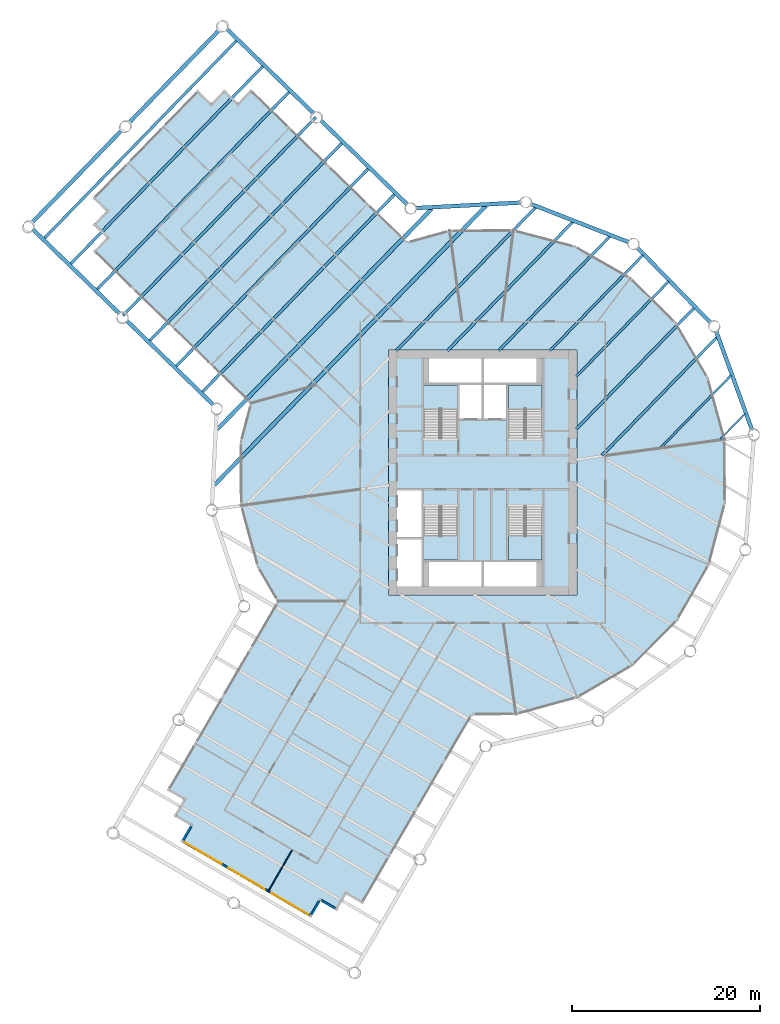
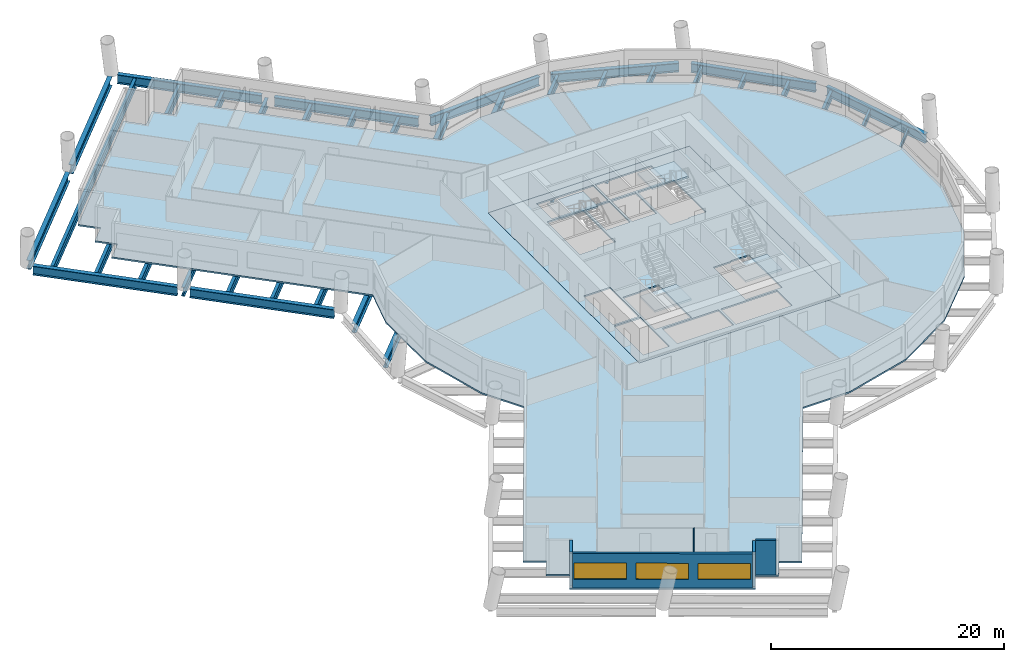
# One storey, part 2 of 12: 28 beams, 6 slabs, 5 walls, 3 windows, 3 openings, 4 elements without a shape of their own.
"""IFC4 building model written with IfcOpenShell, lengths in metres."""

from ifc_helpers import new_model, si_unit, direction, frame, frame_2d, origin, origin_2d, place, context, subcontext, project, spatial, polyline, rectangle, i_section, outline, extrude, material, layer, layer_set, material_profile, profile_set, type_object, element, fill, aggregate, save


model = new_model("IFC4")

# Units and contexts
model_context = context("Model", 3, precision=1e-05, world=origin(), true_north=direction((0.0, 1.0)))
body_context = subcontext(model_context, "Body", "Model", "MODEL_VIEW")
ifc_project = project(units=[si_unit("LENGTHUNIT", "METRE"), si_unit("AREAUNIT", "SQUARE_METRE"), si_unit("VOLUMEUNIT", "CUBIC_METRE"), si_unit("PLANEANGLEUNIT", "RADIAN"), si_unit("MASSUNIT", "GRAM", prefix="KILO")], contexts=[model_context])

# Site, building, storey
site_placement = place(None, origin())
site = spatial("IfcSite", under=ifc_project, at=site_placement, CompositionType="ELEMENT")
building_placement = place(site_placement, origin())
building = spatial("IfcBuilding", under=site, at=building_placement, Name="Tarsis Ring Headquarters", CompositionType="ELEMENT")
storey_placement = place(building_placement, frame((0.0, 0.0, 82.89990234375)))
storey = spatial("IfcBuildingStorey", under=building, at=storey_placement, Name="L18", CompositionType="ELEMENT", Elevation=82.89990234375)

# Beams
ifc_material_1 = material(Name="Structural steel S355", Category="steel")
ifc_material_profile_1 = material_profile(ifc_material_1, i_section(OverallWidth=0.177734375, OverallDepth=0.406494140625, WebThickness=0.0078125, FlangeThickness=0.0126953125, at=origin_2d()), Name="W16x40")
ifc_profile_set_1 = profile_set([ifc_material_profile_1], Name="Structural steel S355")
beam_type_1 = type_object("IfcBeamType", Name="FB Floor beam W16x40", PredefinedType="JOIST", material=ifc_profile_set_1)
beam_1_placement = place(storey_placement, frame((27.818603515625, 6.22998046875, -0.363037109375), z_axis=(-0.697185537768, -0.716890734999, 0.0), x_axis=(0.716890734999, -0.697185537768, 0.0)))
element("IfcBeam", 1, at=beam_1_placement, inside=storey, type_object=beam_type_1, Name="Floor beam FB1", PredefinedType="JOIST", context=body_context, shape_type="SweptSolid", body=[
    extrude(i_section(OverallWidth=0.177734375, OverallDepth=0.406494140625, WebThickness=0.0078125, FlangeThickness=0.0126953125, at=origin_2d()), origin(), (0.0, 0.0, 1.0), 3.74169921875),
])
ifc_material_profile_2 = material_profile(ifc_material_1, i_section(OverallWidth=0.228271484375, OverallDepth=0.607177734375, WebThickness=0.01123046875, FlangeThickness=0.017333984375, at=origin_2d()), Name="W24x76")
ifc_profile_set_2 = profile_set([ifc_material_profile_2], Name="Structural steel S355")
beam_type_2 = type_object("IfcBeamType", Name="FB Floor beam W24x76", PredefinedType="JOIST", material=ifc_profile_set_2)
beam_2_placement = place(storey_placement, frame((26.338623046875, 10.30224609375, -0.46337890625), z_axis=(-0.697176860691, -0.716899173466, 0.0), x_axis=(0.716899173466, -0.697176860691, 0.0)))
element("IfcBeam", 2, at=beam_2_placement, inside=storey, type_object=beam_type_2, Name="Floor beam FB4", PredefinedType="JOIST", context=body_context, shape_type="SweptSolid", body=[
    extrude(i_section(OverallWidth=0.228271484375, OverallDepth=0.607177734375, WebThickness=0.01123046875, FlangeThickness=0.017333984375, at=origin_2d()), origin(), (0.0, 0.0, 1.0), 10.62109375),
])
ifc_material_profile_3 = material_profile(ifc_material_1, i_section(OverallWidth=0.2666015625, OverallDepth=0.7568359375, WebThickness=0.013916015625, FlangeThickness=0.019287109375, at=origin_2d()), Name="W30x108")
ifc_profile_set_3 = profile_set([ifc_material_profile_3], Name="Structural steel S355")
beam_type_3 = type_object("IfcBeamType", Name="FB Floor beam W30x108", PredefinedType="JOIST", material=ifc_profile_set_3)
beam_3_placement = place(storey_placement, frame((19.724853515625, 20.283447265625, -0.538330078125), z_axis=(-0.697167474252, -0.71690830156, 0.0), x_axis=(0.71690830156, -0.697167474252, 0.0)))
element("IfcBeam", 3, at=beam_3_placement, inside=storey, type_object=beam_type_3, Name="Floor beam FB6", PredefinedType="JOIST", context=body_context, shape_type="SweptSolid", body=[
    extrude(i_section(OverallWidth=0.2666015625, OverallDepth=0.7568359375, WebThickness=0.013916015625, FlangeThickness=0.019287109375, at=origin_2d()), origin(), (0.0, 0.0, 1.0), 14.04931640625),
])
beam_4_placement = place(storey_placement, frame((16.99951171875, 23.074951171875, -0.538330078125), z_axis=(-0.697162385678, -0.716913249979, 0.0), x_axis=(0.716913249979, -0.697162385678, 0.0)))
element("IfcBeam", 4, at=beam_4_placement, inside=storey, type_object=beam_type_3, Name="Floor beam FB6", PredefinedType="JOIST", context=body_context, shape_type="SweptSolid", body=[
    extrude(i_section(OverallWidth=0.2666015625, OverallDepth=0.7568359375, WebThickness=0.013916015625, FlangeThickness=0.019287109375, at=origin_2d()), origin(), (0.0, 0.0, 1.0), 14.1533203125),
])
ifc_material_profile_4 = material_profile(ifc_material_1, i_section(OverallWidth=0.2919921875, OverallDepth=0.835693359375, WebThickness=0.013916015625, FlangeThickness=0.018798828125, at=origin_2d()), Name="W33x118")
ifc_profile_set_4 = profile_set([ifc_material_profile_4], Name="Structural steel S355")
beam_type_4 = type_object("IfcBeamType", Name="FB Floor beam W33x118", PredefinedType="JOIST", material=ifc_profile_set_4)
beam_5_placement = place(storey_placement, frame((24.858642578125, 14.37451171875, -0.57763671875), z_axis=(-0.697168033, -0.716907758197, 0.0), x_axis=(0.716907758197, -0.697168033, 0.0)))
element("IfcBeam", 5, at=beam_5_placement, inside=storey, type_object=beam_type_4, Name="Floor beam FB7", PredefinedType="JOIST", context=body_context, shape_type="SweptSolid", body=[
    extrude(i_section(OverallWidth=0.2919921875, OverallDepth=0.835693359375, WebThickness=0.013916015625, FlangeThickness=0.018798828125, at=origin_2d()), origin(), (0.0, 0.0, 1.0), 17.500732421875),
])
beam_6_placement = place(storey_placement, frame((22.4501953125, 17.491943359375, -0.57763671875), z_axis=(-0.697168077868, -0.716907714564, 0.0), x_axis=(0.716907714564, -0.697168077868, 0.0)))
element("IfcBeam", 6, at=beam_6_placement, inside=storey, type_object=beam_type_4, Name="Floor beam FB7", PredefinedType="JOIST", context=body_context, shape_type="SweptSolid", body=[
    extrude(i_section(OverallWidth=0.2919921875, OverallDepth=0.835693359375, WebThickness=0.013916015625, FlangeThickness=0.018798828125, at=origin_2d()), origin(), (0.0, 0.0, 1.0), 17.95849609375),
])
beam_7_placement = place(storey_placement, frame((13.50830078125, 25.0791015625, -0.57763671875), z_axis=(-0.697163546929, -0.716912120719, 0.0), x_axis=(0.716912120719, -0.697163546929, 0.0)))
element("IfcBeam", 7, at=beam_7_placement, inside=storey, type_object=beam_type_4, Name="Floor beam FB7", PredefinedType="JOIST", context=body_context, shape_type="SweptSolid", body=[
    extrude(i_section(OverallWidth=0.2919921875, OverallDepth=0.835693359375, WebThickness=0.013916015625, FlangeThickness=0.018798828125, at=origin_2d()), origin(), (0.0, 0.0, 1.0), 16.948974609375),
])
ifc_material_profile_5 = material_profile(ifc_material_1, i_section(OverallWidth=0.3046875, OverallDepth=0.904296875, WebThickness=0.01513671875, FlangeThickness=0.02001953125, at=origin_2d()), Name="W36x135")
ifc_profile_set_5 = profile_set([ifc_material_profile_5], Name="Structural steel S355")
beam_type_5 = type_object("IfcBeamType", Name="FB Floor beam W36x135", PredefinedType="JOIST", material=ifc_profile_set_5)
beam_8_placement = place(storey_placement, frame((9.56640625, 26.61962890625, -0.612060546875), z_axis=(-0.697162362755, -0.716913272271, 0.0), x_axis=(0.716913272271, -0.697162362755, 0.0)))
element("IfcBeam", 8, at=beam_8_placement, inside=storey, type_object=beam_type_5, Name="Floor beam FB8", PredefinedType="JOIST", context=body_context, shape_type="SweptSolid", body=[
    extrude(i_section(OverallWidth=0.3046875, OverallDepth=0.904296875, WebThickness=0.01513671875, FlangeThickness=0.02001953125, at=origin_2d()), origin(), (0.0, 0.0, 1.0), 19.09765625),
])
ifc_material_profile_6 = material_profile(ifc_material_1, i_section(OverallWidth=0.3046875, OverallDepth=0.91943359375, WebThickness=0.017333984375, FlangeThickness=0.02783203125, at=origin_2d()), Name="W36x170")
ifc_profile_set_6 = profile_set([ifc_material_profile_6], Name="Structural steel S355")
beam_type_6 = type_object("IfcBeamType", Name="FB Floor beam W36x170", PredefinedType="JOIST", material=ifc_profile_set_6)
beam_9_placement = place(storey_placement, frame((5.624267578125, 28.159912109375, -0.61962890625), z_axis=(-0.697161255381, -0.716914349135, 0.0), x_axis=(0.716914349135, -0.697161255381, 0.0)))
element("IfcBeam", 9, at=beam_9_placement, inside=storey, type_object=beam_type_6, Name="Floor beam FB9", PredefinedType="JOIST", context=body_context, shape_type="SweptSolid", body=[
    extrude(i_section(OverallWidth=0.3046875, OverallDepth=0.91943359375, WebThickness=0.017333984375, FlangeThickness=0.02783203125, at=origin_2d()), origin(), (0.0, 0.0, 1.0), 21.24609375),
])
ifc_material_profile_7 = material_profile(ifc_material_1, i_section(OverallWidth=0.309814453125, OverallDepth=0.949951171875, WebThickness=0.0244140625, FlangeThickness=0.0439453125, at=origin_2d()), Name="W36x256")
ifc_profile_set_7 = profile_set([ifc_material_profile_7], Name="Structural steel S355")
beam_type_7 = type_object("IfcBeamType", Name="FB Floor beam W36x256", PredefinedType="JOIST", material=ifc_profile_set_7)
for number, where, z_axis, x_axis, name in (
    (10, (-9.331787109375, 29.5625, -0.635009765625), (-0.697164431873, -0.716911260151, 0.0), (0.716911260151, -0.697164431873, 0.0), "Floor beam FB11"),
    (11, (-12.127685546875, 32.281494140625, -0.635009765625), (-0.697164431873, -0.716911260151, 0.0), (0.716911260151, -0.697164431873, 0.0), "Floor beam FB11"),
):
    element("IfcBeam", number, at=place(storey_placement, frame(where, z_axis=z_axis, x_axis=x_axis)), inside=storey, type_object=beam_type_7, Name=name, PredefinedType="JOIST", context=body_context, shape_type="SweptSolid", body=[
        extrude(i_section(OverallWidth=0.309814453125, OverallDepth=0.949951171875, WebThickness=0.0244140625, FlangeThickness=0.0439453125, at=origin_2d()), origin(), (0.0, 0.0, 1.0), 29.375732421875),
    ])
beam_10_placement = place(storey_placement, frame((-14.923583984375, 35.00048828125, -0.635009765625), z_axis=(-0.697168703349, -0.716907106306, 0.0), x_axis=(0.716907106306, -0.697168703349, 0.0)))
element("IfcBeam", 12, at=beam_10_placement, inside=storey, type_object=beam_type_7, Name="Floor beam FB11", PredefinedType="JOIST", context=body_context, shape_type="SweptSolid", body=[
    extrude(i_section(OverallWidth=0.309814453125, OverallDepth=0.949951171875, WebThickness=0.0244140625, FlangeThickness=0.0439453125, at=origin_2d()), origin(), (0.0, 0.0, 1.0), 29.3759765625),
])
for number, where, z_axis, x_axis, name in (
    (13, (-17.7197265625, 37.71923828125, -0.635009765625), (-0.697164431873, -0.716911260151, 0.0), (0.716911260151, -0.697164431873, 0.0), "Floor beam FB11"),
    (14, (-20.515625, 40.438232421875, -0.635009765625), (-0.697164431873, -0.716911260151, 0.0), (0.716911260151, -0.697164431873, 0.0), "Floor beam FB11"),
    (15, (-23.3115234375, 43.1572265625, -0.635009765625), (-0.697164431873, -0.716911260151, 0.0), (0.716911260151, -0.697164431873, 0.0), "Floor beam FB11"),
    (16, (-26.107421875, 45.876220703125, -0.635009765625), (-0.697164431873, -0.716911260151, 0.0), (0.716911260151, -0.697164431873, 0.0), "Floor beam FB11"),
):
    element("IfcBeam", number, at=place(storey_placement, frame(where, z_axis=z_axis, x_axis=x_axis)), inside=storey, type_object=beam_type_7, Name=name, PredefinedType="JOIST", context=body_context, shape_type="SweptSolid", body=[
        extrude(i_section(OverallWidth=0.309814453125, OverallDepth=0.949951171875, WebThickness=0.0244140625, FlangeThickness=0.0439453125, at=origin_2d()), origin(), (0.0, 0.0, 1.0), 29.375732421875),
    ])
ifc_material_profile_8 = material_profile(ifc_material_1, i_section(OverallWidth=0.42431640625, OverallDepth=0.947509765625, WebThickness=0.02392578125, FlangeThickness=0.042724609375, at=origin_2d()), Name="W36x302")
ifc_profile_set_8 = profile_set([ifc_material_profile_8], Name="Structural steel S355")
beam_type_8 = type_object("IfcBeamType", Name="FB Floor beam W36x302", PredefinedType="JOIST", material=ifc_profile_set_8)
beam_11_placement = place(storey_placement, frame((0.32763671875, 28.307373046875, -0.633544921875), z_axis=(-0.697163706785, -0.716911965266, 0.0), x_axis=(0.716911965266, -0.697163706785, 0.0)))
element("IfcBeam", 17, at=beam_11_placement, inside=storey, type_object=beam_type_8, Name="Floor beam FB12", PredefinedType="JOIST", context=body_context, shape_type="SweptSolid", body=[
    extrude(i_section(OverallWidth=0.42431640625, OverallDepth=0.947509765625, WebThickness=0.02392578125, FlangeThickness=0.042724609375, at=origin_2d()), origin(), (0.0, 0.0, 1.0), 41.35302734375),
])
beam_12_placement = place(storey_placement, frame((-5.404296875, 28.007080078125, -0.633544921875), z_axis=(-0.697169211103, -0.716906612531, 0.0), x_axis=(0.716906612531, -0.697169211103, 0.0)))
element("IfcBeam", 18, at=beam_12_placement, inside=storey, type_object=beam_type_8, Name="Floor beam FB12", PredefinedType="JOIST", context=body_context, shape_type="SweptSolid", body=[
    extrude(i_section(OverallWidth=0.42431640625, OverallDepth=0.947509765625, WebThickness=0.02392578125, FlangeThickness=0.042724609375, at=origin_2d()), origin(), (0.0, 0.0, 1.0), 32.704833984375),
])
beam_type_9 = type_object("IfcBeamType", Name="XG Ring girder W36x302", PredefinedType="BEAM", material=ifc_profile_set_8)
for number, where, z_axis, x_axis, name in (
    (19, (28.59228515625, 4.4580078125, -0.4736328125), (-0.341551452979, 0.939863077777, 0.0), (-0.939863077777, -0.341551452979, 0.0), "Ring girder XG1"),
    (20, (24.212890625, 15.84716796875, -0.4736328125), (-0.698583432583, 0.715528607199, 0.0), (-0.715528607199, -0.698583432583, 0.0), "Ring girder XG1"),
    (21, (15.5283203125, 24.418701171875, -0.4736328125), (-0.931418390167, 0.36395024723, 0.0), (-0.36395024723, -0.931418390167, 0.0), "Ring girder XG1"),
):
    element("IfcBeam", number, at=place(storey_placement, frame(where, z_axis=z_axis, x_axis=x_axis)), inside=storey, type_object=beam_type_9, Name=name, PredefinedType="BEAM", context=body_context, shape_type="SweptSolid", body=[
        extrude(i_section(OverallWidth=0.42431640625, OverallDepth=0.947509765625, WebThickness=0.02392578125, FlangeThickness=0.042724609375, at=origin_2d()), origin(), (0.0, 0.0, 1.0), 11.151611328125),
    ])
beam_13_placement = place(storey_placement, frame((4.082763671875, 28.6484375, -0.4736328125), z_axis=(-0.998630199284, -0.052323274719, 0.0), x_axis=(0.052323274719, -0.998630199284, 0.0)))
element("IfcBeam", 22, at=beam_13_placement, inside=storey, type_object=beam_type_9, Name="Ring girder XG1", PredefinedType="BEAM", context=body_context, shape_type="SweptSolid", body=[
    extrude(i_section(OverallWidth=0.42431640625, OverallDepth=0.947509765625, WebThickness=0.02392578125, FlangeThickness=0.042724609375, at=origin_2d()), origin(), (0.0, 0.0, 1.0), 11.15185546875),
])
beam_14_placement = place(storey_placement, frame((-7.994873046875, 28.418701171875, -0.4736328125), z_axis=(-0.716904649426, 0.697171229779, 0.0), x_axis=(-0.697171229779, -0.716904649426, 0.0)))
element("IfcBeam", 23, at=beam_14_placement, inside=storey, type_object=beam_type_9, Name="Ring girder XG1", PredefinedType="BEAM", context=body_context, shape_type="SweptSolid", body=[
    extrude(i_section(OverallWidth=0.42431640625, OverallDepth=0.947509765625, WebThickness=0.02392578125, FlangeThickness=0.042724609375, at=origin_2d()), origin(), (0.0, 0.0, 1.0), 12.804931640625),
])
beam_15_placement = place(storey_placement, frame((-17.96142578125, 38.11083984375, -0.4736328125), z_axis=(-0.716913916273, 0.697161700507, 0.0), x_axis=(-0.697161700507, -0.716913916273, 0.0)))
element("IfcBeam", 24, at=beam_15_placement, inside=storey, type_object=beam_type_9, Name="Ring girder XG1", PredefinedType="BEAM", context=body_context, shape_type="SweptSolid", body=[
    extrude(i_section(OverallWidth=0.42431640625, OverallDepth=0.947509765625, WebThickness=0.02392578125, FlangeThickness=0.042724609375, at=origin_2d()), origin(), (0.0, 0.0, 1.0), 12.80517578125),
])
beam_16_placement = place(storey_placement, frame((-27.917236328125, 47.02734375, -0.4736328125), z_axis=(-0.697167436075, -0.716908338686, 0.0), x_axis=(0.716908338686, -0.697167436075, 0.0)))
element("IfcBeam", 25, at=beam_16_placement, inside=storey, type_object=beam_type_9, Name="Ring girder XG1", PredefinedType="BEAM", context=body_context, shape_type="SweptSolid", body=[
    extrude(i_section(OverallWidth=0.42431640625, OverallDepth=0.947509765625, WebThickness=0.02392578125, FlangeThickness=0.042724609375, at=origin_2d()), origin(), (0.0, 0.0, 1.0), 13.702880859375),
])
beam_17_placement = place(storey_placement, frame((-38.2353515625, 36.4169921875, -0.4736328125), z_axis=(-0.697158278877, -0.716917243616, 0.0), x_axis=(0.716917243616, -0.697158278877, 0.0)))
element("IfcBeam", 26, at=beam_17_placement, inside=storey, type_object=beam_type_9, Name="Ring girder XG1", PredefinedType="BEAM", context=body_context, shape_type="SweptSolid", body=[
    extrude(i_section(OverallWidth=0.42431640625, OverallDepth=0.947509765625, WebThickness=0.02392578125, FlangeThickness=0.042724609375, at=origin_2d()), origin(), (0.0, 0.0, 1.0), 13.70263671875),
])
beam_18_placement = place(storey_placement, frame((-47.777587890625, 25.817626953125, -0.4736328125), z_axis=(0.716904649426, -0.697171229779, 0.0), x_axis=(0.697171229779, 0.716904649426, 0.0)))
element("IfcBeam", 27, at=beam_18_placement, inside=storey, type_object=beam_type_9, Name="Ring girder XG1", PredefinedType="BEAM", context=body_context, shape_type="SweptSolid", body=[
    extrude(i_section(OverallWidth=0.42431640625, OverallDepth=0.947509765625, WebThickness=0.02392578125, FlangeThickness=0.042724609375, at=origin_2d()), origin(), (0.0, 0.0, 1.0), 12.804931640625),
])
beam_19_placement = place(storey_placement, frame((-37.81103515625, 16.12548828125, -0.4736328125), z_axis=(0.716913916273, -0.697161700507, 0.0), x_axis=(0.697161700507, 0.716913916273, 0.0)))
element("IfcBeam", 28, at=beam_19_placement, inside=storey, type_object=beam_type_9, Name="Ring girder XG1", PredefinedType="BEAM", context=body_context, shape_type="SweptSolid", body=[
    extrude(i_section(OverallWidth=0.42431640625, OverallDepth=0.947509765625, WebThickness=0.02392578125, FlangeThickness=0.042724609375, at=origin_2d()), origin(), (0.0, 0.0, 1.0), 12.80517578125),
])

# Slab
ifc_material_2 = material(Name="Concrete C40/50", Category="concrete")
ifc_layer_1 = layer(ifc_material_2, 0.159912109375)
ifc_layer_set_1 = layer_set([ifc_layer_1], Name="Core floor slab 160 C40/50")
slab_type_1 = type_object("IfcSlabType", Name="Core floor slab 160 C40/50", PredefinedType="FLOOR", material=ifc_layer_set_1)
slab_1_placement = place(storey_placement, frame((0.0, 0.0, -0.159912109375)))
element("IfcSlab", 29, at=slab_1_placement, inside=storey, type_object=slab_type_1, Name="L18 core floor slab", PredefinedType="FLOOR", context=body_context, shape_type="SweptSolid", body=[
    extrude(outline(polyline([(-10.0, -13.0), (10.0, -13.0), (10.0, 13.0), (-10.0, 13.0), (-10.0, -13.0)]), holes=[polyline([(-2.5, 5.699951171875), (-0.10009765625, 5.699951171875), (-0.10009765625, 9.300048828125), (-2.5, 9.300048828125), (-2.5, 5.699951171875)]), polyline([(0.10009765625, 5.699951171875), (2.5, 5.699951171875), (2.5, 9.300048828125), (0.10009765625, 9.300048828125), (0.10009765625, 5.699951171875)]), polyline([(-9.10009765625, -12.10009765625), (-6.5, -12.10009765625), (-6.5, -7.10009765625), (-9.10009765625, -7.10009765625), (-9.10009765625, -12.10009765625)]), polyline([(-9.10009765625, -6.89990234375), (-6.5, -6.89990234375), (-6.5, -1.89990234375), (-9.10009765625, -1.89990234375), (-9.10009765625, -6.89990234375)]), polyline([(-5.699951171875, 9.5), (-0.10009765625, 9.5), (-0.10009765625, 12.10009765625), (-5.699951171875, 12.10009765625), (-5.699951171875, 9.5)]), polyline([(0.10009765625, 9.5), (5.699951171875, 9.5), (5.699951171875, 12.10009765625), (0.10009765625, 12.10009765625), (0.10009765625, 9.5)]), polyline([(-5.699951171875, -12.10009765625), (-0.10009765625, -12.10009765625), (-0.10009765625, -9.5), (-5.699951171875, -9.5), (-5.699951171875, -12.10009765625)]), polyline([(0.10009765625, -12.10009765625), (5.699951171875, -12.10009765625), (5.699951171875, -9.5), (0.10009765625, -9.5), (0.10009765625, -12.10009765625)]), polyline([(-2.699951171875, 3.760009765625), (-2.699951171875, 9.300048828125), (-6.300048828125, 9.300048828125), (-6.300048828125, 3.659912109375), (-4.4599609375, 3.659912109375), (-4.4599609375, 3.760009765625), (-2.699951171875, 3.760009765625)]), polyline([(6.300048828125, 3.760009765625), (6.300048828125, 9.300048828125), (2.699951171875, 9.300048828125), (2.699951171875, 3.659912109375), (4.5400390625, 3.659912109375), (4.5400390625, 3.760009765625), (6.300048828125, 3.760009765625)]), polyline([(-6.300048828125, -3.760009765625), (-6.300048828125, -9.300048828125), (-2.699951171875, -9.300048828125), (-2.699951171875, -3.659912109375), (-4.5400390625, -3.659912109375), (-4.5400390625, -3.760009765625), (-6.300048828125, -3.760009765625)]), polyline([(2.699951171875, -3.760009765625), (2.699951171875, -9.300048828125), (6.300048828125, -9.300048828125), (6.300048828125, -3.659912109375), (4.4599609375, -3.659912109375), (4.4599609375, -3.760009765625), (2.699951171875, -3.760009765625)])]), origin(), (0.0, 0.0, 1.0), 0.159912109375),
])

# Stair, slab
ifc_material_3 = material(Name="Core stair 1760")
stair_type = type_object("IfcStairType", Name="Core stair 1760", PredefinedType="HALF_TURN_STAIR", material=ifc_material_3)
stair_1_placement = place(storey_placement, origin())
stair_1 = element("IfcStair", 30, at=stair_1_placement, inside=storey, type_object=stair_type, Name="L18 Firefighting stair", PredefinedType="HALF_TURN_STAIR")
ifc_layer_2 = layer(ifc_material_2, 0.199951171875)
ifc_layer_set_2 = layer_set([ifc_layer_2], Name="Core stair landing 200")
slab_type_2 = type_object("IfcSlabType", Name="Core stair landing 200", PredefinedType="LANDING", material=ifc_layer_set_2)
slab_2_placement = place(storey_placement, frame((0.0, 0.0, 1.75)))
slab_2 = element("IfcSlab", 31, at=slab_2_placement, type_object=slab_type_2, Name="Stair ST1 landing 1", PredefinedType="LANDING", context=body_context, shape_type="SweptSolid", body=[
    extrude(outline(polyline([(-2.699951171875, 6.739990234375), (-2.699951171875, 9.300048828125), (-6.300048828125, 9.300048828125), (-6.300048828125, 6.739990234375), (-2.699951171875, 6.739990234375)])), origin(), (0.0, 0.0, 1.0), 0.2001953125),
])
aggregate(stair_1, [slab_2])

stair_2_placement = place(storey_placement, origin())
stair_2 = element("IfcStair", 32, at=stair_2_placement, inside=storey, type_object=stair_type, Name="L18 Exit stair B", PredefinedType="HALF_TURN_STAIR")
slab_3_placement = place(storey_placement, frame((0.0, 0.0, 1.75)))
slab_3 = element("IfcSlab", 33, at=slab_3_placement, type_object=slab_type_2, Name="Stair ST2 landing 1", PredefinedType="LANDING", context=body_context, shape_type="SweptSolid", body=[
    extrude(outline(polyline([(6.300048828125, 6.739990234375), (6.300048828125, 9.300048828125), (2.699951171875, 9.300048828125), (2.699951171875, 6.739990234375), (6.300048828125, 6.739990234375)])), origin(), (0.0, 0.0, 1.0), 0.2001953125),
])
aggregate(stair_2, [slab_3])

stair_3_placement = place(storey_placement, origin())
stair_3 = element("IfcStair", 34, at=stair_3_placement, inside=storey, type_object=stair_type, Name="L18 Exit stair C", PredefinedType="HALF_TURN_STAIR")
slab_4_placement = place(storey_placement, frame((0.0, 0.0, 1.75)))
slab_4 = element("IfcSlab", 35, at=slab_4_placement, type_object=slab_type_2, Name="Stair ST3 landing 1", PredefinedType="LANDING", context=body_context, shape_type="SweptSolid", body=[
    extrude(outline(polyline([(-6.300048828125, -6.739990234375), (-6.300048828125, -9.300048828125), (-2.699951171875, -9.300048828125), (-2.699951171875, -6.739990234375), (-6.300048828125, -6.739990234375)])), origin(), (0.0, 0.0, 1.0), 0.2001953125),
])
aggregate(stair_3, [slab_4])

stair_4_placement = place(storey_placement, origin())
stair_4 = element("IfcStair", 36, at=stair_4_placement, inside=storey, type_object=stair_type, Name="L18 Exit stair D", PredefinedType="HALF_TURN_STAIR")
slab_5_placement = place(storey_placement, frame((0.0, 0.0, 1.75)))
slab_5 = element("IfcSlab", 37, at=slab_5_placement, type_object=slab_type_2, Name="Stair ST4 landing 1", PredefinedType="LANDING", context=body_context, shape_type="SweptSolid", body=[
    extrude(outline(polyline([(2.699951171875, -6.739990234375), (2.699951171875, -9.300048828125), (6.300048828125, -9.300048828125), (6.300048828125, -6.739990234375), (2.699951171875, -6.739990234375)])), origin(), (0.0, 0.0, 1.0), 0.2001953125),
])
aggregate(stair_4, [slab_5])

# Slab
ifc_material_4 = material(Name="Concrete C35/45", Category="concrete")
ifc_layer_3 = layer(ifc_material_4, 0.159912109375)
ifc_layer_set_3 = layer_set([ifc_layer_3], Name="FS Composite floor slab 160")
slab_type_3 = type_object("IfcSlabType", Name="FS Composite floor slab 160", PredefinedType="FLOOR", material=ifc_layer_set_3)
slab_6_placement = place(storey_placement, frame((0.0, 0.0, -0.159912109375)))
element("IfcSlab", 38, at=slab_6_placement, inside=storey, type_object=slab_type_3, Name="Floor slab L18", PredefinedType="FLOOR", context=body_context, shape_type="SweptSolid", body=[
    extrude(outline(polyline([(-24.731689453125, 7.31201171875), (-25.794921875, 3.258544921875), (-25.759521484375, -3.528564453125), (-23.968505859375, -10.075439453125), (-21.854248046875, -13.693359375), (-33.51025390625, -33.720458984375), (-31.78173828125, -34.7265625), (-32.78759765625, -36.455078125), (-31.05908203125, -37.4609375), (-32.065185546875, -39.189697265625), (-18.23681640625, -47.23779296875), (-17.230712890625, -45.50927734375), (-15.502197265625, -46.515380859375), (-14.49609375, -44.786865234375), (-12.767578125, -45.79296875), (-1.1220703125, -25.78369140625), (3.528564453125, -25.759521484375), (10.075439453125, -23.968505859375), (15.935546875, -20.5439453125), (20.709716796875, -15.719482421875), (24.07275390625, -9.823974609375), (25.794921875, -3.258544921875), (25.759521484375, 3.528564453125), (23.968505859375, 10.075439453125), (20.5439453125, 15.935546875), (15.719482421875, 20.709716796875), (9.823974609375, 24.07275390625), (3.258544921875, 25.794921875), (-3.528564453125, 25.759521484375), (-8.014404296875, 24.5322265625), (-24.61181640625, 40.672607421875), (-26.00634765625, 39.23876953125), (-27.43994140625, 40.633056640625), (-28.83447265625, 39.19921875), (-30.268310546875, 40.593505859375), (-41.4228515625, 29.123046875), (-39.989013671875, 27.728759765625), (-41.38330078125, 26.294921875), (-39.949462890625, 24.900390625), (-41.34375, 23.466552734375), (-24.731689453125, 7.31201171875)]), holes=[polyline([(-10.0, -13.0), (-10.0, 13.0), (10.0, 13.0), (10.0, -13.0), (-10.0, -13.0)])]), origin(), (0.0, 0.0, 1.0), 0.159912109375),
])

# Walls
ifc_material_5 = material(Name="Gypsum board on steel studs", Category="steel")
ifc_layer_4 = layer(ifc_material_5, 0.10009765625)
ifc_layer_set_4 = layer_set([ifc_layer_4], Name="FL partition 100 unrated")
wall_type_1 = type_object("IfcWallType", Name="FL partition 100 unrated", PredefinedType="PARTITIONING", material=ifc_layer_set_4)
wall_1_placement = place(storey_placement, frame((-22.818115234375, -44.513671875, 0.0), z_axis=(0.0, 0.0, 1.0), x_axis=(0.502997412305, 0.864287916851, 0.0)))
element("IfcWall", 39, at=wall_1_placement, inside=storey, type_object=wall_type_1, Name="Partition PW3", PredefinedType="PARTITIONING", context=body_context, shape_type="SweptSolid", body=[
    extrude(rectangle(XDim=5.110107421875, YDim=0.10009765625, at=frame_2d((2.55517578125, 0.0))), origin(), (0.0, 0.0, 1.0), 2.7001953125),
])
ifc_material_6 = material(Name="Terracotta clad insulated panel wall", Category="masonry")
ifc_layer_5 = layer(ifc_material_6, 0.25)
ifc_layer_set_5 = layer_set([ifc_layer_5], Name="Facade wall terracotta panel 250")
wall_type_2 = type_object("IfcWallType", Name="Facade wall terracotta panel 250", PredefinedType="STANDARD", material=ifc_layer_set_5)
wall_2_placement = place(storey_placement, frame((-30.951171875, -37.52392578125, 0.0), z_axis=(0.0, 0.0, 1.0), x_axis=(-0.502959906984, -0.86430974307, 0.0)))
element("IfcWall", 40, at=wall_2_placement, inside=storey, type_object=wall_type_2, Name="External wall L18-10", PredefinedType="STANDARD", context=body_context, shape_type="SweptSolid", body=[
    extrude(rectangle(XDim=1.75, YDim=0.25, at=frame_2d((0.875, 0.0))), origin(), (0.0, 0.0, 1.0), 3.60009765625),
])

# Wall, openings, windows
wall_3_placement = place(storey_placement, frame((-31.7861328125, -39.207275390625, 0.0), z_axis=(0.0, 0.0, 1.0), x_axis=(0.864272642248, -0.503023657357, 0.0)))
wall_3 = element("IfcWall", 41, at=wall_3_placement, inside=storey, type_object=wall_type_2, Name="External wall L18-11", PredefinedType="STANDARD", context=body_context, shape_type="SweptSolid", body=[
    extrude(rectangle(XDim=15.5, YDim=0.25, at=frame_2d((7.75, 0.0))), origin(), (0.0, 0.0, 1.0), 3.60009765625),
])
opening_1_placement = place(wall_3_placement, frame((0.166748046875, 0.0, 0.89990234375)))
opening_1 = element("IfcOpeningElement", 42, at=opening_1_placement, cuts=wall_3, Name="Opening WN04", PredefinedType="OPENING", context=body_context, shape_type="SweptSolid", body=[
    extrude(rectangle(XDim=4.5, YDim=1.699951171875, at=frame_2d((2.25, 0.85009765625))), frame((0.0, 0.135009765625, 0.0), z_axis=(0.0, -1.0, 0.0), x_axis=(1.0, 0.0, 0.0)), (0.0, 0.0, 1.0), 0.27001953125),
])
opening_2_placement = place(wall_3_placement, frame((5.5, 0.0, 0.89990234375)))
opening_2 = element("IfcOpeningElement", 43, at=opening_2_placement, cuts=wall_3, Name="Opening WN04", PredefinedType="OPENING", context=body_context, shape_type="SweptSolid", body=[
    extrude(rectangle(XDim=4.5, YDim=1.699951171875, at=frame_2d((2.25, 0.85009765625))), frame((0.0, 0.135009765625, 0.0), z_axis=(0.0, -1.0, 0.0), x_axis=(1.0, 0.0, 0.0)), (0.0, 0.0, 1.0), 0.27001953125),
])
opening_3_placement = place(wall_3_placement, frame((10.833251953125, 0.0, 0.89990234375)))
opening_3 = element("IfcOpeningElement", 44, at=opening_3_placement, cuts=wall_3, Name="Opening WN04", PredefinedType="OPENING", context=body_context, shape_type="SweptSolid", body=[
    extrude(rectangle(XDim=4.5, YDim=1.699951171875, at=frame_2d((2.25, 0.85009765625))), frame((0.0, 0.135009765625, 0.0), z_axis=(0.0, -1.0, 0.0), x_axis=(1.0, 0.0, 0.0)), (0.0, 0.0, 1.0), 0.27001953125),
])
ifc_material_7 = material(Name="Aluminium framed double glazing", Category="aluminium")
window_type = type_object("IfcWindowType", Name="Facade window 4500 x 1700", PartitioningType="SINGLE_PANEL", PredefinedType="WINDOW", material=ifc_material_7)
window_1_placement = place(opening_1_placement, origin())
window_1 = element("IfcWindow", 45, at=window_1_placement, inside=storey, type_object=window_type, Name="Window L18-11.1", OverallHeight=1.699951171875, OverallWidth=4.5, PartitioningType="SINGLE_PANEL", PredefinedType="WINDOW", context=body_context, shape_type="SweptSolid", body=[
    extrude(rectangle(XDim=4.5, YDim=1.699951171875, at=frame_2d((2.25, 0.85009765625))), frame((0.0, 0.030029296875, 0.0), z_axis=(0.0, -1.0, 0.0), x_axis=(1.0, 0.0, 0.0)), (0.0, 0.0, 1.0), 0.06005859375),
])
fill(opening_1, window_1)
window_2_placement = place(opening_2_placement, origin())
window_2 = element("IfcWindow", 46, at=window_2_placement, inside=storey, type_object=window_type, Name="Window L18-11.2", OverallHeight=1.699951171875, OverallWidth=4.5, PartitioningType="SINGLE_PANEL", PredefinedType="WINDOW", context=body_context, shape_type="SweptSolid", body=[
    extrude(rectangle(XDim=4.5, YDim=1.699951171875, at=frame_2d((2.25, 0.85009765625))), frame((0.0, 0.030029296875, 0.0), z_axis=(0.0, -1.0, 0.0), x_axis=(1.0, 0.0, 0.0)), (0.0, 0.0, 1.0), 0.06005859375),
])
fill(opening_2, window_2)
window_3_placement = place(opening_3_placement, origin())
window_3 = element("IfcWindow", 47, at=window_3_placement, inside=storey, type_object=window_type, Name="Window L18-11.3", OverallHeight=1.699951171875, OverallWidth=4.5, PartitioningType="SINGLE_PANEL", PredefinedType="WINDOW", context=body_context, shape_type="SweptSolid", body=[
    extrude(rectangle(XDim=4.5, YDim=1.699951171875, at=frame_2d((2.25, 0.85009765625))), frame((0.0, 0.030029296875, 0.0), z_axis=(0.0, -1.0, 0.0), x_axis=(1.0, 0.0, 0.0)), (0.0, 0.0, 1.0), 0.06005859375),
])
fill(opening_3, window_3)

# Walls
for number, where, z_axis, x_axis, name in (
    (48, (-18.218994140625, -46.958984375, 0.0), (0.0, 0.0, 1.0), (0.502959906984, 0.86430974307, 0.0), "External wall L18-12"),
    (49, (-17.16796875, -45.4013671875, 0.0), (0.0, 0.0, 1.0), (0.86430974307, -0.502959906984, 0.0), "External wall L18-13"),
):
    element("IfcWall", number, at=place(storey_placement, frame(where, z_axis=z_axis, x_axis=x_axis)), inside=storey, type_object=wall_type_2, Name=name, PredefinedType="STANDARD", context=body_context, shape_type="SweptSolid", body=[
        extrude(rectangle(XDim=1.75, YDim=0.25, at=frame_2d((0.875, 0.0))), origin(), (0.0, 0.0, 1.0), 3.60009765625),
    ])

save(model, "model.ifc")
